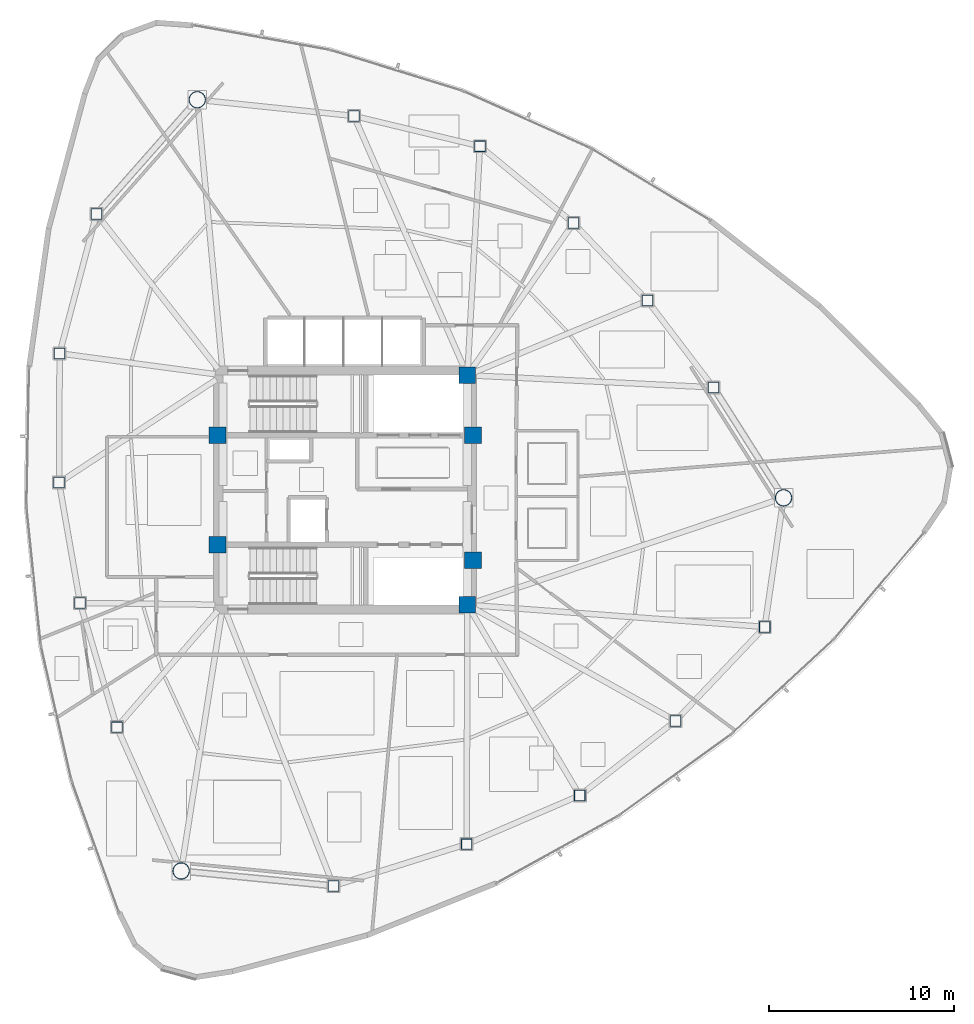
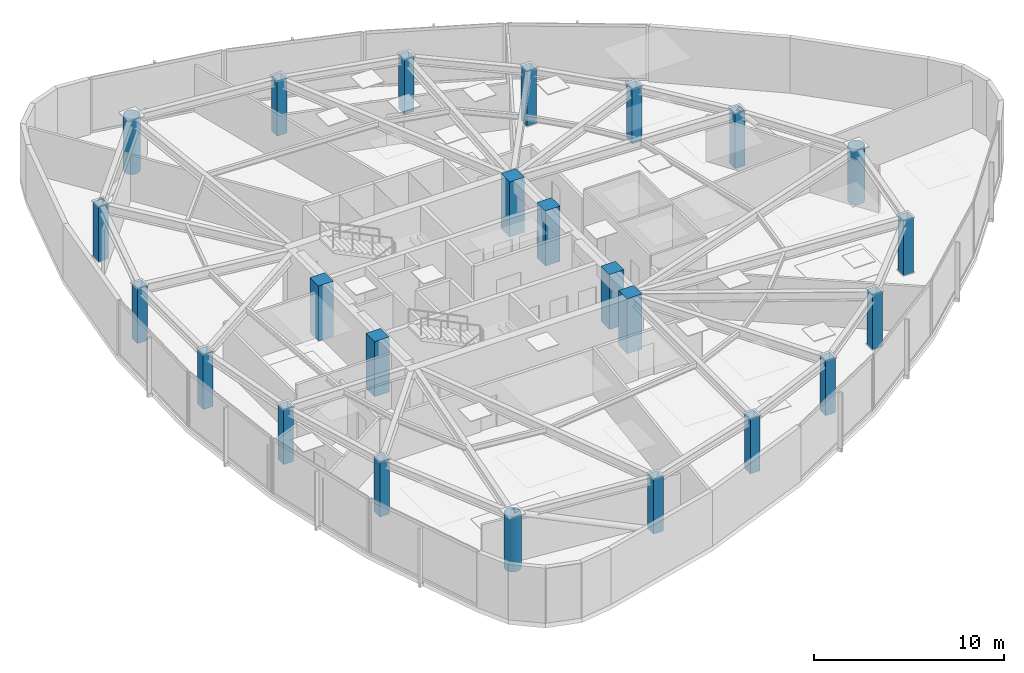
# One storey, part 1 of 17: 24 columns.
"""IFC4 building model written with IfcOpenShell, lengths in metres."""

from ifc_helpers import new_model, si_unit, direction, frame, origin, origin_2d, place, context, subcontext, project, spatial, rectangle, hollow_rectangle, hollow_circle, extrude, material, material_profile, profile_set, type_object, element, save


model = new_model("IFC4")

# Units and contexts
model_context = context("Model", 3, precision=1e-05, world=origin(), true_north=direction((0.0, 1.0)))
body_context = subcontext(model_context, "Body", "Model", "MODEL_VIEW")
ifc_project = project(units=[si_unit("LENGTHUNIT", "METRE"), si_unit("AREAUNIT", "SQUARE_METRE"), si_unit("VOLUMEUNIT", "CUBIC_METRE"), si_unit("PLANEANGLEUNIT", "RADIAN"), si_unit("MASSUNIT", "GRAM", prefix="KILO")], contexts=[model_context])

# Site, building, storey
site_placement = place(None, origin())
site = spatial("IfcSite", under=ifc_project, at=site_placement, CompositionType="ELEMENT")
building_placement = place(site_placement, origin())
building = spatial("IfcBuilding", under=site, at=building_placement, Name="Tavelor Broadcast Tower", CompositionType="ELEMENT")
storey_placement = place(building_placement, frame((0.0, 0.0, 169.5)))
storey = spatial("IfcBuildingStorey", under=building, at=storey_placement, Name="L40", CompositionType="ELEMENT", Elevation=169.5)

# Columns
ifc_material_1 = material(Name="Concrete C50/60", Category="concrete")
ifc_material_profile_1 = material_profile(ifc_material_1, rectangle(XDim=0.89990234375, YDim=0.89990234375, at=origin_2d()), Name="RC 900x900")
ifc_profile_set_1 = profile_set([ifc_material_profile_1], Name="Concrete C50/60")
column_type_1 = type_object("IfcColumnType", Name="Core Embedded Composite Column RC900", PredefinedType="COLUMN", material=ifc_profile_set_1)
for number, where, z_axis, x_axis, name in (
    (1, (43.10009765625, 47.949951171875, 0.0), (0.0, 0.0, 1.0), (1.0, 0.0, 0.0), "L40 Core Embedded Column 1"),
    (2, (56.89990234375, 47.949951171875, 0.0), (0.0, 0.0, 1.0), (1.0, 0.0, 0.0), "L40 Core Embedded Column 2"),
    (3, (56.60009765625, 51.199951171875, 0.0), (0.0, 0.0, 1.0), (1.0, 0.0, 0.0), "L40 Core Embedded Column 3"),
    (4, (43.10009765625, 42.050048828125, 0.0), (0.0, 0.0, 1.0), (1.0, 0.0, 0.0), "L40 Core Embedded Column 4"),
    (5, (56.89990234375, 41.199951171875, 0.0), (0.0, 0.0, 1.0), (1.0, 0.0, 0.0), "L40 Core Embedded Column 5"),
    (6, (56.60009765625, 38.800048828125, 0.0), (0.0, 0.0, 1.0), (1.0, 0.0, 0.0), "L40 Core Embedded Column 6"),
):
    element("IfcColumn", number, at=place(storey_placement, frame(where, z_axis=z_axis, x_axis=x_axis)), inside=storey, type_object=column_type_1, Name=name, PredefinedType="COLUMN", context=body_context, shape_type="SweptSolid", body=[
        extrude(rectangle(XDim=0.89990234375, YDim=0.89990234375, at=origin_2d()), origin(), (0.0, 0.0, 1.0), 3.550048828125),
    ])
ifc_material_2 = material(Name="Steel S460", Category="steel")
ifc_material_profile_2 = material_profile(ifc_material_2, hollow_rectangle(XDim=0.60009765625, YDim=0.60009765625, WallThickness=0.035888671875, at=origin_2d()), Name="SHS 600x600x36")
ifc_profile_set_2 = profile_set([ifc_material_profile_2], Name="Steel S460")
column_type_2 = type_object("IfcColumnType", Name="Perimeter Tube Column T4 SHS 600x600x36", PredefinedType="COLUMN", material=ifc_profile_set_2)
for number, where, z_axis, x_axis, name in (
    (7, (36.567626953125, 59.91064453125, 0.0), (0.0, 0.0, 1.0), (1.0, 0.0, 0.0), "L40 Perimeter Framed-Tube Column 02"),
    (8, (34.5751953125, 52.37939453125, 0.0), (0.0, 0.0, 1.0), (1.0, 0.0, 0.0), "L40 Perimeter Framed-Tube Column 03"),
    (9, (34.54638671875, 45.399169921875, 0.0), (0.0, 0.0, 1.0), (1.0, 0.0, 0.0), "L40 Perimeter Framed-Tube Column 04"),
    (10, (35.680908203125, 38.89990234375, 0.0), (0.0, 0.0, 1.0), (1.0, 0.0, 0.0), "L40 Perimeter Framed-Tube Column 05"),
    (11, (37.668212890625, 32.1904296875, 0.0), (0.0, 0.0, 1.0), (1.0, 0.0, 0.0), "L40 Perimeter Framed-Tube Column 06"),
    (12, (49.366455078125, 23.618896484375, 0.0), (0.0, 0.0, 1.0), (1.0, 0.0, 0.0), "L40 Perimeter Framed-Tube Column 08"),
    (13, (56.56103515625, 25.872802734375, 0.0), (0.0, 0.0, 1.0), (1.0, 0.0, 0.0), "L40 Perimeter Framed-Tube Column 09"),
    (14, (62.669189453125, 28.503173828125, 0.0), (0.0, 0.0, 1.0), (1.0, 0.0, 0.0), "L40 Perimeter Framed-Tube Column 10"),
    (15, (67.84228515625, 32.53173828125, 0.0), (0.0, 0.0, 1.0), (1.0, 0.0, 0.0), "L40 Perimeter Framed-Tube Column 11"),
    (16, (72.6591796875, 37.607421875, 0.0), (0.0, 0.0, 1.0), (1.0, 0.0, 0.0), "L40 Perimeter Framed-Tube Column 12"),
    (17, (69.885986328125, 50.544189453125, 0.0), (0.0, 0.0, 1.0), (1.0, 0.0, 0.0), "L40 Perimeter Framed-Tube Column 14"),
    (18, (66.322021484375, 55.228759765625, 0.0), (0.0, 0.0, 1.0), (1.0, 0.0, 0.0), "L40 Perimeter Framed-Tube Column 15"),
    (19, (62.330810546875, 59.416259765625, 0.0), (0.0, 0.0, 1.0), (1.0, 0.0, 0.0), "L40 Perimeter Framed-Tube Column 16"),
    (20, (57.276611328125, 63.568359375, 0.0), (0.0, 0.0, 1.0), (1.0, 0.0, 0.0), "L40 Perimeter Framed-Tube Column 17"),
    (21, (50.472412109375, 65.2021484375, 0.0), (0.0, 0.0, 1.0), (1.0, 0.0, 0.0), "L40 Perimeter Framed-Tube Column 18"),
):
    element("IfcColumn", number, at=place(storey_placement, frame(where, z_axis=z_axis, x_axis=x_axis)), inside=storey, type_object=column_type_2, Name=name, PredefinedType="COLUMN", context=body_context, shape_type="SweptSolid", body=[
        extrude(hollow_rectangle(XDim=0.60009765625, YDim=0.60009765625, WallThickness=0.035888671875, at=origin_2d()), origin(), (0.0, 0.0, 1.0), 3.550048828125),
    ])
ifc_material_profile_3 = material_profile(ifc_material_2, hollow_circle(Radius=0.45703125, WallThickness=0.0400390625, at=origin_2d()), Name="CHS 914x40")
ifc_profile_set_3 = profile_set([ifc_material_profile_3], Name="Steel S460")
column_type_3 = type_object("IfcColumnType", Name="Tower Mega Column T4 CHS 914x40", PredefinedType="COLUMN", material=ifc_profile_set_3)
for number, where, z_axis, x_axis, name in (
    (22, (42.01123046875, 66.080078125, 0.0), (0.0, 0.0, 1.0), (1.0, 0.0, 0.0), "L40 Tower Corner Mega Column 01"),
    (23, (41.138671875, 24.423828125, 0.0), (0.0, 0.0, 1.0), (1.0, 0.0, 0.0), "L40 Tower Corner Mega Column 07"),
    (24, (73.676025390625, 44.57958984375, 0.0), (0.0, 0.0, 1.0), (1.0, 0.0, 0.0), "L40 Tower Corner Mega Column 13"),
):
    element("IfcColumn", number, at=place(storey_placement, frame(where, z_axis=z_axis, x_axis=x_axis)), inside=storey, type_object=column_type_3, Name=name, PredefinedType="COLUMN", context=body_context, shape_type="SweptSolid", body=[
        extrude(hollow_circle(Radius=0.45703125, WallThickness=0.0400390625, at=origin_2d()), origin(), (0.0, 0.0, 1.0), 3.550048828125),
    ])

save(model, "model.ifc")
